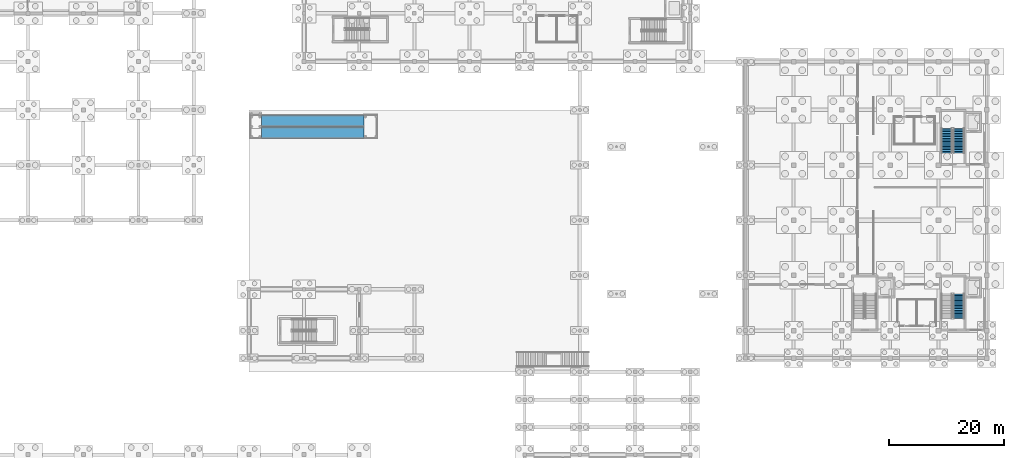
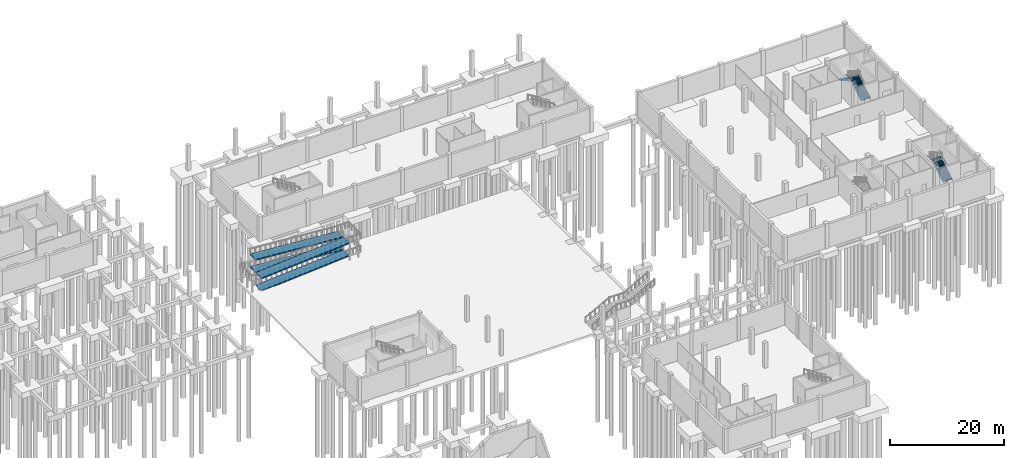
# One storey, part 30 of 41: 4 ramp flights, 3 stair flights, 3 elements without a shape of their own.
"""IFC4 building model written with IfcOpenShell, lengths in metres."""

from ifc_helpers import new_model, si_unit, direction, frame, origin, place, context, subcontext, project, spatial, polyline, outline, extrude, material, layer, layer_set, type_object, element, aggregate, save


model = new_model("IFC4")

# Units and contexts
model_context = context("Model", 3, precision=1e-05, world=origin(), true_north=direction((0.0, 1.0)))
body_context = subcontext(model_context, "Body", "Model", "MODEL_VIEW")
ifc_project = project(units=[si_unit("LENGTHUNIT", "METRE"), si_unit("AREAUNIT", "SQUARE_METRE"), si_unit("VOLUMEUNIT", "CUBIC_METRE"), si_unit("PLANEANGLEUNIT", "RADIAN"), si_unit("MASSUNIT", "GRAM", prefix="KILO")], contexts=[model_context])

# Site, building, storey
site_placement = place(None, origin())
site = spatial("IfcSite", under=ifc_project, at=site_placement, CompositionType="ELEMENT")
building_placement = place(site_placement, origin())
building = spatial("IfcBuilding", under=site, at=building_placement, Name="Shalvenor Court Art Gallery", CompositionType="ELEMENT")
storey_placement = place(building_placement, frame((0.0, 0.0, -5.39990234375)))
storey = spatial("IfcBuildingStorey", under=building, at=storey_placement, Name="B01", CompositionType="ELEMENT", Elevation=-5.39990234375)

# Stair, stair flights
ifc_material_1 = material(Name="Concrete C40/50", Category="concrete")
stair_type = type_object("IfcStairType", Name="ST-DL-32R-1900", PredefinedType="HALF_TURN_STAIR", material=ifc_material_1)
stair_1_placement = place(storey_placement, origin())
stair_1 = element("IfcStair", 1, at=stair_1_placement, inside=storey, type_object=stair_type, Name="B01 Core Dogleg Stair ST-01", PredefinedType="HALF_TURN_STAIR")
ifc_material_2 = material(Name="Concrete C40/50", Category="concrete")
stair_flight_type = type_object("IfcStairFlightType", Name="FL-DL-16R-1900", PredefinedType="STRAIGHT", material=ifc_material_2)
stair_flight_1_placement = place(storey_placement, frame((171.550048828125, 81.300048828125, 0.0), z_axis=(0.0, 0.0, 1.0), x_axis=(0.0, 1.0, 0.0)))
stair_flight_1 = element("IfcStairFlight", 2, at=stair_flight_1_placement, type_object=stair_flight_type, Name="ST-DL-32R-1900 flight 1", NumberOfRisers=16, NumberOfTreads=15, PredefinedType="STRAIGHT", RiserHeight=0.16875, TreadLength=0.285, context=body_context, shape_type="SweptSolid", body=[
    extrude(outline(polyline([(0.0, 0.0), (0.0, 0.168701171875), (0.284912109375, 0.168701171875), (0.284912109375, 0.33740234375), (0.570068359375, 0.33740234375), (0.570068359375, 0.50634765625), (0.85498046875, 0.50634765625), (0.85498046875, 0.675048828125), (1.139892578125, 0.675048828125), (1.139892578125, 0.84375), (1.425048828125, 0.84375), (1.425048828125, 1.012451171875), (1.7099609375, 1.012451171875), (1.7099609375, 1.18115234375), (1.9951171875, 1.18115234375), (1.9951171875, 1.35009765625), (2.280029296875, 1.35009765625), (2.280029296875, 1.518798828125), (2.56494140625, 1.518798828125), (2.56494140625, 1.6875), (2.85009765625, 1.6875), (2.85009765625, 1.856201171875), (3.135009765625, 1.856201171875), (3.135009765625, 2.02490234375), (3.419921875, 2.02490234375), (3.419921875, 2.19384765625), (3.705078125, 2.19384765625), (3.705078125, 2.362548828125), (3.989990234375, 2.362548828125), (3.989990234375, 2.53125), (4.27490234375, 2.53125), (4.27490234375, 2.699951171875), (4.27490234375, 2.322021484375), (0.353271484375, 0.0), (0.0, 0.0)])), frame((0.0, 0.949951171875, 0.0), z_axis=(0.0, -1.0, 0.0), x_axis=(1.0, 0.0, 0.0)), (0.0, 0.0, 1.0), 1.89990234375),
])
stair_flight_2_placement = place(storey_placement, frame((169.449951171875, 85.574951171875, 2.699951171875), z_axis=(0.0, 0.0, 1.0), x_axis=(0.0, -1.0, 0.0)))
stair_flight_2 = element("IfcStairFlight", 3, at=stair_flight_2_placement, type_object=stair_flight_type, Name="ST-DL-32R-1900 flight 2", NumberOfRisers=16, NumberOfTreads=15, PredefinedType="STRAIGHT", RiserHeight=0.16875, TreadLength=0.285, context=body_context, shape_type="SweptSolid", body=[
    extrude(outline(polyline([(0.0, 0.0), (0.0, 0.168701171875), (0.284912109375, 0.168701171875), (0.284912109375, 0.33740234375), (0.570068359375, 0.33740234375), (0.570068359375, 0.50634765625), (0.85498046875, 0.50634765625), (0.85498046875, 0.675048828125), (1.139892578125, 0.675048828125), (1.139892578125, 0.84375), (1.425048828125, 0.84375), (1.425048828125, 1.012451171875), (1.7099609375, 1.012451171875), (1.7099609375, 1.18115234375), (1.9951171875, 1.18115234375), (1.9951171875, 1.35009765625), (2.280029296875, 1.35009765625), (2.280029296875, 1.518798828125), (2.56494140625, 1.518798828125), (2.56494140625, 1.6875), (2.85009765625, 1.6875), (2.85009765625, 1.856201171875), (3.135009765625, 1.856201171875), (3.135009765625, 2.02490234375), (3.419921875, 2.02490234375), (3.419921875, 2.19384765625), (3.705078125, 2.19384765625), (3.705078125, 2.362548828125), (3.989990234375, 2.362548828125), (3.989990234375, 2.53125), (4.27490234375, 2.53125), (4.27490234375, 2.699951171875), (4.27490234375, 2.322021484375), (0.353271484375, 0.0), (0.0, 0.0)])), frame((0.0, 0.949951171875, 0.0), z_axis=(0.0, -1.0, 0.0), x_axis=(1.0, 0.0, 0.0)), (0.0, 0.0, 1.0), 1.89990234375),
])
aggregate(stair_1, [stair_flight_1, stair_flight_2])

# Stair, stair flight
stair_2_placement = place(storey_placement, origin())
stair_2 = element("IfcStair", 4, at=stair_2_placement, inside=storey, type_object=stair_type, Name="B01 Core Dogleg Stair ST-02", PredefinedType="HALF_TURN_STAIR")
stair_flight_3_placement = place(storey_placement, frame((171.550048828125, 52.5, 0.0), z_axis=(0.0, 0.0, 1.0), x_axis=(0.0, 1.0, 0.0)))
stair_flight_3 = element("IfcStairFlight", 5, at=stair_flight_3_placement, type_object=stair_flight_type, Name="ST-DL-32R-1900 flight 1", NumberOfRisers=16, NumberOfTreads=15, PredefinedType="STRAIGHT", RiserHeight=0.16875, TreadLength=0.285, context=body_context, shape_type="SweptSolid", body=[
    extrude(outline(polyline([(0.0, 0.0), (0.0, 0.168701171875), (0.284912109375, 0.168701171875), (0.284912109375, 0.33740234375), (0.570068359375, 0.33740234375), (0.570068359375, 0.50634765625), (0.85498046875, 0.50634765625), (0.85498046875, 0.675048828125), (1.139892578125, 0.675048828125), (1.139892578125, 0.84375), (1.425048828125, 0.84375), (1.425048828125, 1.012451171875), (1.7099609375, 1.012451171875), (1.7099609375, 1.18115234375), (1.9951171875, 1.18115234375), (1.9951171875, 1.35009765625), (2.280029296875, 1.35009765625), (2.280029296875, 1.518798828125), (2.56494140625, 1.518798828125), (2.56494140625, 1.6875), (2.85009765625, 1.6875), (2.85009765625, 1.856201171875), (3.135009765625, 1.856201171875), (3.135009765625, 2.02490234375), (3.419921875, 2.02490234375), (3.419921875, 2.19384765625), (3.705078125, 2.19384765625), (3.705078125, 2.362548828125), (3.989990234375, 2.362548828125), (3.989990234375, 2.53125), (4.27490234375, 2.53125), (4.27490234375, 2.699951171875), (4.27490234375, 2.322021484375), (0.353271484375, 0.0), (0.0, 0.0)])), frame((0.0, 0.949951171875, 0.0), z_axis=(0.0, -1.0, 0.0), x_axis=(1.0, 0.0, 0.0)), (0.0, 0.0, 1.0), 1.89990234375),
])
aggregate(stair_2, [stair_flight_3])

# Ramp, ramp flights
ifc_material_3 = material(Name="Concrete C40/50", Category="concrete")
ramp_type = type_object("IfcRampType", Name="RMP-01", PredefinedType="STRAIGHT_RUN_RAMP", material=ifc_material_3)
ramp_placement = place(storey_placement, origin())
ramp = element("IfcRamp", 6, at=ramp_placement, inside=storey, type_object=ramp_type, Name="Accessible Sunken Forecourt Stone Ramp RMP-01", PredefinedType="STRAIGHT_RUN_RAMP")
ifc_material_4 = material(Name="Concrete C40/50", Category="concrete")
ifc_layer = layer(ifc_material_4, 0.25, Name="Concrete C40/50")
ifc_layer_set = layer_set([ifc_layer], Name="Concrete C40/50")
ramp_flight_type = type_object("IfcRampFlightType", Name="RMF-01", PredefinedType="STRAIGHT", material=ifc_layer_set)
ramp_flight_1_placement = place(storey_placement, frame((50.199951171875, 84.800048828125, 0.0), z_axis=(0.0, 0.0, 1.0), x_axis=(1.0, 0.0, 0.0)))
ramp_flight_1 = element("IfcRampFlight", 7, at=ramp_flight_1_placement, type_object=ramp_flight_type, Name="Accessible Ramp Flight 1", PredefinedType="STRAIGHT", context=body_context, shape_type="SweptSolid", body=[
    extrude(outline(polyline([(0.0, 0.0), (0.0, -0.25), (17.800048828125, 1.099853515625), (17.800048828125, 1.349853515625), (0.0, 0.0)])), frame((0.0, 1.0, 0.0), z_axis=(0.0, -1.0, 0.0), x_axis=(1.0, 0.0, 0.0)), (0.0, 0.0, 1.0), 2.0),
])
ramp_flight_2_placement = place(storey_placement, frame((68.0, 86.89990234375, 1.349853515625), z_axis=(0.0, 0.0, 1.0), x_axis=(-1.0, 0.0, 0.0)))
ramp_flight_2 = element("IfcRampFlight", 8, at=ramp_flight_2_placement, type_object=ramp_flight_type, Name="Accessible Ramp Flight 2", PredefinedType="STRAIGHT", context=body_context, shape_type="SweptSolid", body=[
    extrude(outline(polyline([(0.0, 0.0), (0.0, -0.25), (17.800048828125, 1.10009765625), (17.800048828125, 1.35009765625), (0.0, 0.0)])), frame((0.0, 1.0, 0.0), z_axis=(0.0, -1.0, 0.0), x_axis=(1.0, 0.0, 0.0)), (0.0, 0.0, 1.0), 2.0),
])
ramp_flight_3_placement = place(storey_placement, frame((50.199951171875, 84.800048828125, 2.699951171875), z_axis=(0.0, 0.0, 1.0), x_axis=(1.0, 0.0, 0.0)))
ramp_flight_3 = element("IfcRampFlight", 9, at=ramp_flight_3_placement, type_object=ramp_flight_type, Name="Accessible Ramp Flight 3", PredefinedType="STRAIGHT", context=body_context, shape_type="SweptSolid", body=[
    extrude(outline(polyline([(0.0, 0.0), (0.0, -0.25), (17.800048828125, 1.099853515625), (17.800048828125, 1.349853515625), (0.0, 0.0)])), frame((0.0, 1.0, 0.0), z_axis=(0.0, -1.0, 0.0), x_axis=(1.0, 0.0, 0.0)), (0.0, 0.0, 1.0), 2.0),
])
ramp_flight_4_placement = place(storey_placement, frame((68.0, 86.89990234375, 4.0498046875), z_axis=(0.0, 0.0, 1.0), x_axis=(-1.0, 0.0, 0.0)))
ramp_flight_4 = element("IfcRampFlight", 10, at=ramp_flight_4_placement, type_object=ramp_flight_type, Name="Accessible Ramp Flight 4", PredefinedType="STRAIGHT", context=body_context, shape_type="SweptSolid", body=[
    extrude(outline(polyline([(0.0, 0.0), (0.0, -0.25), (17.800048828125, 1.10009765625), (17.800048828125, 1.35009765625), (0.0, 0.0)])), frame((0.0, 1.0, 0.0), z_axis=(0.0, -1.0, 0.0), x_axis=(1.0, 0.0, 0.0)), (0.0, 0.0, 1.0), 2.0),
])
aggregate(ramp, [ramp_flight_1, ramp_flight_2, ramp_flight_3, ramp_flight_4])

save(model, "model.ifc")
